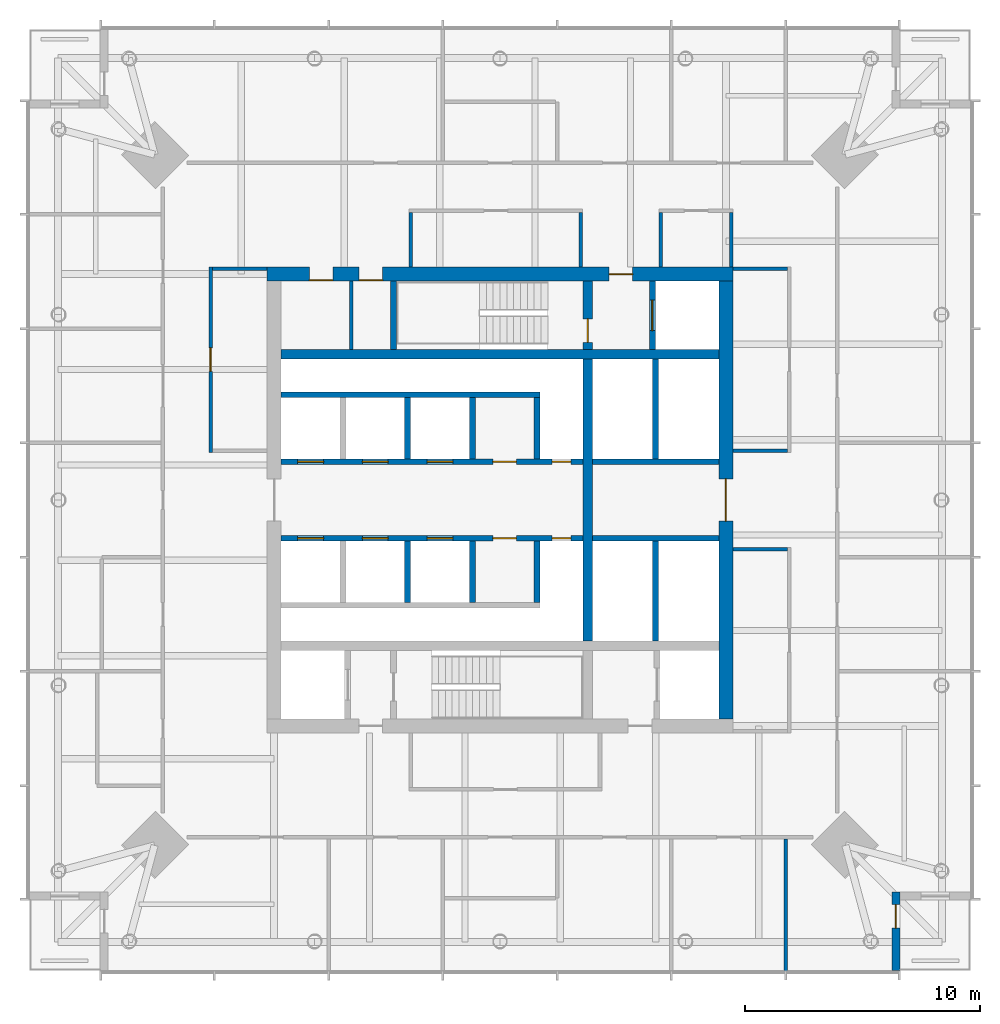
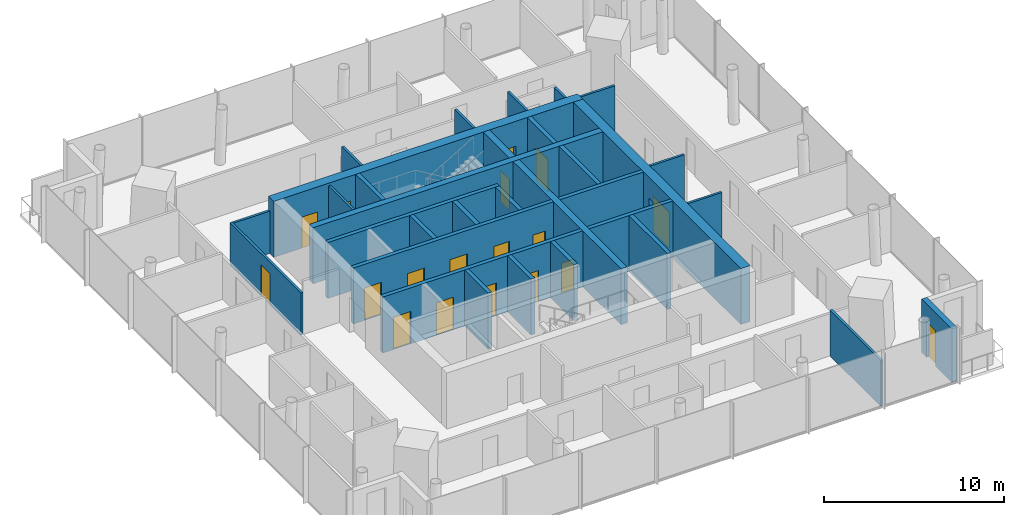
# One storey, part 5 of 7: 32 walls, 18 doors, 18 openings.
"""IFC4 building model written with IfcOpenShell, lengths in metres."""

from ifc_helpers import new_model, si_unit, direction, frame, frame_2d, origin, place, context, subcontext, project, spatial, rectangle, extrude, material, layer, layer_set, type_object, element, fill, save


model = new_model("IFC4")

# Units and contexts
model_context = context("Model", 3, precision=1e-05, world=origin(), true_north=direction((0.0, 1.0)))
body_context = subcontext(model_context, "Body", "Model", "MODEL_VIEW")
ifc_project = project(units=[si_unit("LENGTHUNIT", "METRE"), si_unit("AREAUNIT", "SQUARE_METRE"), si_unit("VOLUMEUNIT", "CUBIC_METRE"), si_unit("PLANEANGLEUNIT", "RADIAN"), si_unit("MASSUNIT", "GRAM", prefix="KILO")], contexts=[model_context])

# Site, building, storey
site_placement = place(None, origin())
site = spatial("IfcSite", under=ifc_project, at=site_placement, CompositionType="ELEMENT")
building_placement = place(site_placement, origin())
building = spatial("IfcBuilding", under=site, at=building_placement, Name="Ostroluk Exchange", CompositionType="ELEMENT")
storey_placement = place(building_placement, frame((0.0, 0.0, 184.39990234375)))
storey = spatial("IfcBuildingStorey", under=building, at=storey_placement, Name="L47", CompositionType="ELEMENT", Elevation=184.39990234375)

# Walls
ifc_material_1 = material(Name="Concrete blockwork", Category="masonry")
ifc_layer_1 = layer(ifc_material_1, 0.14990234375)
ifc_layer_set_1 = layer_set([ifc_layer_1], Name="Blockwork plant room wall 150")
wall_type_1 = type_object("IfcWallType", Name="Blockwork plant room wall 150", PredefinedType="SOLIDWALL", material=ifc_layer_set_1)
wall_1_placement = place(storey_placement, frame((38.676025390625, 52.39990234375, 0.0), z_axis=(0.0, 0.0, 1.0), x_axis=(0.0, 1.0, 0.0)))
element("IfcWall", 1, at=wall_1_placement, inside=storey, type_object=wall_type_1, Name="Core room wall", PredefinedType="SOLIDWALL", context=body_context, shape_type="SweptSolid", body=[
    extrude(rectangle(XDim=2.900146484375, YDim=0.14990234375, at=frame_2d((1.4501953125, 0.0))), origin(), (0.0, 0.0, 1.0), 3.6201171875),
])
ifc_material_2 = material(Name="Concrete C50/60", Category="concrete")
ifc_layer_2 = layer(ifc_material_2, 0.39990234375)
ifc_layer_set_2 = layer_set([ifc_layer_2], Name="Core cross wall 400 C50/60")
wall_type_2 = type_object("IfcWallType", Name="Core cross wall 400 C50/60", PredefinedType="SHEAR", material=ifc_layer_set_2)
wall_2_placement = place(storey_placement, frame((35.699951171875, 52.199951171875, 0.0), z_axis=(0.0, 0.0, 1.0), x_axis=(1.0, 0.0, 0.0)))
element("IfcWall", 2, at=wall_2_placement, inside=storey, type_object=wall_type_2, Name="T1 core wall XN", PredefinedType="SHEAR", context=body_context, shape_type="SweptSolid", body=[
    extrude(rectangle(XDim=18.60009765625, YDim=0.39990234375, at=frame_2d((9.300048828125, 0.0))), origin(), (0.0, 0.0, 1.0), 3.800048828125),
])
wall_3_placement = place(storey_placement, frame((48.72998046875, 40.0, 0.0), z_axis=(0.0, 0.0, 1.0), x_axis=(0.0, 1.0, 0.0)))
element("IfcWall", 3, at=wall_3_placement, inside=storey, type_object=wall_type_2, Name="T1 core wall YE2", PredefinedType="SHEAR", context=body_context, shape_type="SweptSolid", body=[
    extrude(rectangle(XDim=12.0, YDim=0.39990234375, at=frame_2d((6.0, 0.0))), origin(), (0.0, 0.0, 1.0), 3.800048828125),
])

# Wall, opening, door
wall_4_placement = place(storey_placement, frame((48.72998046875, 52.39990234375, 0.0), z_axis=(0.0, 0.0, 1.0), x_axis=(0.0, 1.0, 0.0)))
wall_4 = element("IfcWall", 4, at=wall_4_placement, inside=storey, type_object=wall_type_2, Name="T1 core wall YE3", PredefinedType="SHEAR", context=body_context, shape_type="SweptSolid", body=[
    extrude(rectangle(XDim=2.900146484375, YDim=0.39990234375, at=frame_2d((1.4501953125, 0.0))), origin(), (0.0, 0.0, 1.0), 3.800048828125),
])
opening_1_placement = place(wall_4_placement, frame((0.300048828125, 0.0, 0.0)))
opening_1 = element("IfcOpeningElement", 5, at=opening_1_placement, cuts=wall_4, Name="Opening FD60", PredefinedType="OPENING", context=body_context, shape_type="SweptSolid", body=[
    extrude(rectangle(XDim=1.0, YDim=2.10009765625, at=frame_2d((0.5, 1.050048828125))), frame((0.0, 0.2099609375, 0.0), z_axis=(0.0, -1.0, 0.0), x_axis=(1.0, 0.0, 0.0)), (0.0, 0.0, 1.0), 0.419921875),
])
ifc_material_3 = material(Name="Steel", Category="steel")
door_type_1 = type_object("IfcDoorType", Name="Fire door EI 60 1000 x 2100", OperationType="SINGLE_SWING_LEFT", PredefinedType="DOOR", material=ifc_material_3)
door_1_placement = place(opening_1_placement, origin())
door_1 = element("IfcDoor", 6, at=door_1_placement, inside=storey, type_object=door_type_1, Name="Stair T1-S2 door", OperationType="SINGLE_SWING_LEFT", OverallHeight=2.10009765625, OverallWidth=1.0, PredefinedType="DOOR", context=body_context, shape_type="SweptSolid", body=[
    extrude(rectangle(XDim=1.0, YDim=2.10009765625, at=frame_2d((0.5, 1.050048828125))), frame((0.0, 0.02490234375, 0.0), z_axis=(0.0, -1.0, 0.0), x_axis=(1.0, 0.0, 0.0)), (0.0, 0.0, 1.0), 0.050048828125),
])
fill(opening_1, door_1)

# Wall
ifc_material_4 = material(Name="Concrete C40/50", Category="concrete")
ifc_layer_3 = layer(ifc_material_4, 0.25)
ifc_layer_set_3 = layer_set([ifc_layer_3], Name="Core shaft wall 250")
wall_type_3 = type_object("IfcWallType", Name="Core shaft wall 250", PredefinedType="SHEAR", material=ifc_layer_set_3)
wall_5_placement = place(storey_placement, frame((40.47509765625, 52.39990234375, 0.0), z_axis=(0.0, 0.0, 1.0), x_axis=(0.0, 1.0, 0.0)))
element("IfcWall", 7, at=wall_5_placement, inside=storey, type_object=wall_type_3, Name="Stair shaft wall", PredefinedType="SHEAR", context=body_context, shape_type="SweptSolid", body=[
    extrude(rectangle(XDim=2.900146484375, YDim=0.25, at=frame_2d((1.4501953125, 0.0))), origin(), (0.0, 0.0, 1.0), 3.800048828125),
])

# Wall, opening, door
wall_6_placement = place(storey_placement, frame((51.47509765625, 52.39990234375, 0.0), z_axis=(0.0, 0.0, 1.0), x_axis=(0.0, 1.0, 0.0)))
wall_6 = element("IfcWall", 8, at=wall_6_placement, inside=storey, type_object=wall_type_3, Name="Firefighting lift shaft wall", PredefinedType="SHEAR", context=body_context, shape_type="SweptSolid", body=[
    extrude(rectangle(XDim=2.900146484375, YDim=0.25, at=frame_2d((1.4501953125, 0.0))), origin(), (0.0, 0.0, 1.0), 3.800048828125),
])
opening_2_placement = place(wall_6_placement, frame((0.800048828125, 0.0, 0.0)))
opening_2 = element("IfcOpeningElement", 9, at=opening_2_placement, cuts=wall_6, Name="Opening LD2", PredefinedType="OPENING", context=body_context, shape_type="SweptSolid", body=[
    extrude(rectangle(XDim=1.300048828125, YDim=2.199951171875, at=frame_2d((0.64990234375, 1.10009765625))), frame((0.0, 0.135009765625, 0.0), z_axis=(0.0, -1.0, 0.0), x_axis=(1.0, 0.0, 0.0)), (0.0, 0.0, 1.0), 0.27001953125),
])
ifc_material_5 = material(Name="Stainless steel", Category="steel")
door_type_2 = type_object("IfcDoorType", Name="Lift landing door E 60 1300 x 2200", OperationType="DOUBLE_DOOR_SLIDING", PredefinedType="DOOR", material=ifc_material_5)
door_2_placement = place(opening_2_placement, origin())
door_2 = element("IfcDoor", 10, at=door_2_placement, inside=storey, type_object=door_type_2, Name="Lift FL2 landing door", OperationType="DOUBLE_DOOR_SLIDING", OverallHeight=2.199951171875, OverallWidth=1.300048828125, PredefinedType="DOOR", context=body_context, shape_type="SweptSolid", body=[
    extrude(rectangle(XDim=1.300048828125, YDim=2.199951171875, at=frame_2d((0.64990234375, 1.10009765625))), frame((0.0, 0.02490234375, 0.0), z_axis=(0.0, -1.0, 0.0), x_axis=(1.0, 0.0, 0.0)), (0.0, 0.0, 1.0), 0.050048828125),
])
fill(opening_2, door_2)

# Walls
for number, where, z_axis, x_axis, name in (
    (11, (41.074951171875, 47.75, 0.0), (0.0, 0.0, 1.0), (0.0, 1.0, 0.0), "Lift shaft wall"),
    (12, (43.824951171875, 47.75, 0.0), (0.0, 0.0, 1.0), (0.0, 1.0, 0.0), "Lift shaft wall"),
    (13, (46.574951171875, 47.75, 0.0), (0.0, 0.0, 1.0), (0.0, 1.0, 0.0), "Lift shaft wall"),
):
    element("IfcWall", number, at=place(storey_placement, frame(where, z_axis=z_axis, x_axis=x_axis)), inside=storey, type_object=wall_type_3, Name=name, PredefinedType="SHEAR", context=body_context, shape_type="SweptSolid", body=[
        extrude(rectangle(XDim=2.60009765625, YDim=0.25, at=frame_2d((1.300048828125, 0.0))), origin(), (0.0, 0.0, 1.0), 3.800048828125),
    ])
wall_7_placement = place(storey_placement, frame((35.699951171875, 50.47509765625, 0.0), z_axis=(0.0, 0.0, 1.0), x_axis=(1.0, 0.0, 0.0)))
element("IfcWall", 14, at=wall_7_placement, inside=storey, type_object=wall_type_3, Name="Lift shaft wall", PredefinedType="SHEAR", context=body_context, shape_type="SweptSolid", body=[
    extrude(rectangle(XDim=11.0, YDim=0.25, at=frame_2d((5.5, 0.0))), origin(), (0.0, 0.0, 1.0), 3.800048828125),
])

# Wall, openings, doors
wall_8_placement = place(storey_placement, frame((35.699951171875, 47.625, 0.0), z_axis=(0.0, 0.0, 1.0), x_axis=(1.0, 0.0, 0.0)))
wall_8 = element("IfcWall", 15, at=wall_8_placement, inside=storey, type_object=wall_type_3, Name="Lift shaft front wall", PredefinedType="SHEAR", context=body_context, shape_type="SweptSolid", body=[
    extrude(rectangle(XDim=12.830078125, YDim=0.25, at=frame_2d((6.4150390625, 0.0))), origin(), (0.0, 0.0, 1.0), 3.800048828125),
])
opening_3_placement = place(wall_8_placement, frame((0.699951171875, 0.0, 0.0)))
opening_3 = element("IfcOpeningElement", 16, at=opening_3_placement, cuts=wall_8, Name="Opening LD", PredefinedType="OPENING", context=body_context, shape_type="SweptSolid", body=[
    extrude(rectangle(XDim=1.10009765625, YDim=2.199951171875, at=frame_2d((0.550048828125, 1.10009765625))), frame((0.0, 0.135009765625, 0.0), z_axis=(0.0, -1.0, 0.0), x_axis=(1.0, 0.0, 0.0)), (0.0, 0.0, 1.0), 0.27001953125),
])
opening_4_placement = place(wall_8_placement, frame((3.449951171875, 0.0, 0.0)))
opening_4 = element("IfcOpeningElement", 17, at=opening_4_placement, cuts=wall_8, Name="Opening LD", PredefinedType="OPENING", context=body_context, shape_type="SweptSolid", body=[
    extrude(rectangle(XDim=1.10009765625, YDim=2.199951171875, at=frame_2d((0.550048828125, 1.10009765625))), frame((0.0, 0.135009765625, 0.0), z_axis=(0.0, -1.0, 0.0), x_axis=(1.0, 0.0, 0.0)), (0.0, 0.0, 1.0), 0.27001953125),
])
opening_5_placement = place(wall_8_placement, frame((6.199951171875, 0.0, 0.0)))
opening_5 = element("IfcOpeningElement", 18, at=opening_5_placement, cuts=wall_8, Name="Opening LD", PredefinedType="OPENING", context=body_context, shape_type="SweptSolid", body=[
    extrude(rectangle(XDim=1.10009765625, YDim=2.199951171875, at=frame_2d((0.550048828125, 1.10009765625))), frame((0.0, 0.135009765625, 0.0), z_axis=(0.0, -1.0, 0.0), x_axis=(1.0, 0.0, 0.0)), (0.0, 0.0, 1.0), 0.27001953125),
])
opening_6_placement = place(wall_8_placement, frame((9.0, 0.0, 0.0)))
opening_6 = element("IfcOpeningElement", 19, at=opening_6_placement, cuts=wall_8, Name="Opening FD60", PredefinedType="OPENING", context=body_context, shape_type="SweptSolid", body=[
    extrude(rectangle(XDim=1.0, YDim=2.10009765625, at=frame_2d((0.5, 1.050048828125))), frame((0.0, 0.135009765625, 0.0), z_axis=(0.0, -1.0, 0.0), x_axis=(1.0, 0.0, 0.0)), (0.0, 0.0, 1.0), 0.27001953125),
])
opening_7_placement = place(wall_8_placement, frame((11.514892578125, 0.0, 0.0)))
opening_7 = element("IfcOpeningElement", 20, at=opening_7_placement, cuts=wall_8, Name="Opening RD60", PredefinedType="OPENING", context=body_context, shape_type="SweptSolid", body=[
    extrude(rectangle(XDim=0.800048828125, YDim=2.0, at=frame_2d((0.39990234375, 1.0))), frame((0.0, 0.135009765625, 0.0), z_axis=(0.0, -1.0, 0.0), x_axis=(1.0, 0.0, 0.0)), (0.0, 0.0, 1.0), 0.27001953125),
])
door_3_placement = place(opening_6_placement, origin())
door_3 = element("IfcDoor", 21, at=door_3_placement, inside=storey, type_object=door_type_1, Name="Core room door", OperationType="SINGLE_SWING_RIGHT", OverallHeight=2.10009765625, OverallWidth=1.0, PredefinedType="DOOR", context=body_context, shape_type="SweptSolid", body=[
    extrude(rectangle(XDim=1.0, YDim=2.10009765625, at=frame_2d((0.5, 1.050048828125))), frame((0.0, 0.02490234375, 0.0), z_axis=(0.0, -1.0, 0.0), x_axis=(1.0, 0.0, 0.0)), (0.0, 0.0, 1.0), 0.050048828125),
])
fill(opening_6, door_3)
ifc_material_6 = material(Name="Stainless steel", Category="steel")
door_type_3 = type_object("IfcDoorType", Name="Lift landing door E 60 1100 x 2200", OperationType="DOUBLE_DOOR_SLIDING", PredefinedType="DOOR", material=ifc_material_6)
door_4_placement = place(opening_3_placement, origin())
door_4 = element("IfcDoor", 22, at=door_4_placement, inside=storey, type_object=door_type_3, Name="Lift PL-H1 landing door", OperationType="DOUBLE_DOOR_SLIDING", OverallHeight=2.199951171875, OverallWidth=1.10009765625, PredefinedType="DOOR", context=body_context, shape_type="SweptSolid", body=[
    extrude(rectangle(XDim=1.10009765625, YDim=2.199951171875, at=frame_2d((0.550048828125, 1.10009765625))), frame((0.0, 0.02490234375, 0.0), z_axis=(0.0, -1.0, 0.0), x_axis=(1.0, 0.0, 0.0)), (0.0, 0.0, 1.0), 0.050048828125),
])
fill(opening_3, door_4)
door_5_placement = place(opening_4_placement, origin())
door_5 = element("IfcDoor", 23, at=door_5_placement, inside=storey, type_object=door_type_3, Name="Lift PL-H2 landing door", OperationType="DOUBLE_DOOR_SLIDING", OverallHeight=2.199951171875, OverallWidth=1.10009765625, PredefinedType="DOOR", context=body_context, shape_type="SweptSolid", body=[
    extrude(rectangle(XDim=1.10009765625, YDim=2.199951171875, at=frame_2d((0.550048828125, 1.10009765625))), frame((0.0, 0.02490234375, 0.0), z_axis=(0.0, -1.0, 0.0), x_axis=(1.0, 0.0, 0.0)), (0.0, 0.0, 1.0), 0.050048828125),
])
fill(opening_4, door_5)
door_6_placement = place(opening_5_placement, origin())
door_6 = element("IfcDoor", 24, at=door_6_placement, inside=storey, type_object=door_type_3, Name="Lift PL-H3 landing door", OperationType="DOUBLE_DOOR_SLIDING", OverallHeight=2.199951171875, OverallWidth=1.10009765625, PredefinedType="DOOR", context=body_context, shape_type="SweptSolid", body=[
    extrude(rectangle(XDim=1.10009765625, YDim=2.199951171875, at=frame_2d((0.550048828125, 1.10009765625))), frame((0.0, 0.02490234375, 0.0), z_axis=(0.0, -1.0, 0.0), x_axis=(1.0, 0.0, 0.0)), (0.0, 0.0, 1.0), 0.050048828125),
])
fill(opening_5, door_6)
ifc_material_7 = material(Name="Steel", Category="steel")
door_type_4 = type_object("IfcDoorType", Name="Riser access door EI 60 800 x 2000", OperationType="SINGLE_SWING_LEFT", PredefinedType="DOOR", material=ifc_material_7)
door_7_placement = place(opening_7_placement, origin())
door_7 = element("IfcDoor", 25, at=door_7_placement, inside=storey, type_object=door_type_4, Name="Riser access door", OperationType="SINGLE_SWING_RIGHT", OverallHeight=2.0, OverallWidth=0.800048828125, PredefinedType="DOOR", context=body_context, shape_type="SweptSolid", body=[
    extrude(rectangle(XDim=0.800048828125, YDim=2.0, at=frame_2d((0.39990234375, 1.0))), frame((0.0, 0.02490234375, 0.0), z_axis=(0.0, -1.0, 0.0), x_axis=(1.0, 0.0, 0.0)), (0.0, 0.0, 1.0), 0.050048828125),
])
fill(opening_7, door_7)

# Walls
for number, where, z_axis, x_axis, name in (
    (26, (41.074951171875, 44.25, 0.0), (0.0, 0.0, 1.0), (0.0, -1.0, 0.0), "Lift shaft wall"),
    (27, (43.824951171875, 44.25, 0.0), (0.0, 0.0, 1.0), (0.0, -1.0, 0.0), "Lift shaft wall"),
    (28, (46.574951171875, 44.25, 0.0), (0.0, 0.0, 1.0), (0.0, -1.0, 0.0), "Lift shaft wall"),
):
    element("IfcWall", number, at=place(storey_placement, frame(where, z_axis=z_axis, x_axis=x_axis)), inside=storey, type_object=wall_type_3, Name=name, PredefinedType="SHEAR", context=body_context, shape_type="SweptSolid", body=[
        extrude(rectangle(XDim=2.60009765625, YDim=0.25, at=frame_2d((1.300048828125, 0.0))), origin(), (0.0, 0.0, 1.0), 3.800048828125),
    ])

# Wall, openings, doors
wall_9_placement = place(storey_placement, frame((35.699951171875, 44.375, 0.0), z_axis=(0.0, 0.0, 1.0), x_axis=(1.0, 0.0, 0.0)))
wall_9 = element("IfcWall", 29, at=wall_9_placement, inside=storey, type_object=wall_type_3, Name="Lift shaft front wall", PredefinedType="SHEAR", context=body_context, shape_type="SweptSolid", body=[
    extrude(rectangle(XDim=12.830078125, YDim=0.25, at=frame_2d((6.4150390625, 0.0))), origin(), (0.0, 0.0, 1.0), 3.800048828125),
])
opening_8_placement = place(wall_9_placement, frame((0.699951171875, 0.0, 0.0)))
opening_8 = element("IfcOpeningElement", 30, at=opening_8_placement, cuts=wall_9, Name="Opening LD", PredefinedType="OPENING", context=body_context, shape_type="SweptSolid", body=[
    extrude(rectangle(XDim=1.10009765625, YDim=2.199951171875, at=frame_2d((0.550048828125, 1.10009765625))), frame((0.0, 0.135009765625, 0.0), z_axis=(0.0, -1.0, 0.0), x_axis=(1.0, 0.0, 0.0)), (0.0, 0.0, 1.0), 0.27001953125),
])
opening_9_placement = place(wall_9_placement, frame((3.449951171875, 0.0, 0.0)))
opening_9 = element("IfcOpeningElement", 31, at=opening_9_placement, cuts=wall_9, Name="Opening LD", PredefinedType="OPENING", context=body_context, shape_type="SweptSolid", body=[
    extrude(rectangle(XDim=1.10009765625, YDim=2.199951171875, at=frame_2d((0.550048828125, 1.10009765625))), frame((0.0, 0.135009765625, 0.0), z_axis=(0.0, -1.0, 0.0), x_axis=(1.0, 0.0, 0.0)), (0.0, 0.0, 1.0), 0.27001953125),
])
opening_10_placement = place(wall_9_placement, frame((6.199951171875, 0.0, 0.0)))
opening_10 = element("IfcOpeningElement", 32, at=opening_10_placement, cuts=wall_9, Name="Opening LD", PredefinedType="OPENING", context=body_context, shape_type="SweptSolid", body=[
    extrude(rectangle(XDim=1.10009765625, YDim=2.199951171875, at=frame_2d((0.550048828125, 1.10009765625))), frame((0.0, 0.135009765625, 0.0), z_axis=(0.0, -1.0, 0.0), x_axis=(1.0, 0.0, 0.0)), (0.0, 0.0, 1.0), 0.27001953125),
])
opening_11_placement = place(wall_9_placement, frame((9.0, 0.0, 0.0)))
opening_11 = element("IfcOpeningElement", 33, at=opening_11_placement, cuts=wall_9, Name="Opening FD60", PredefinedType="OPENING", context=body_context, shape_type="SweptSolid", body=[
    extrude(rectangle(XDim=1.0, YDim=2.10009765625, at=frame_2d((0.5, 1.050048828125))), frame((0.0, 0.135009765625, 0.0), z_axis=(0.0, -1.0, 0.0), x_axis=(1.0, 0.0, 0.0)), (0.0, 0.0, 1.0), 0.27001953125),
])
opening_12_placement = place(wall_9_placement, frame((11.514892578125, 0.0, 0.0)))
opening_12 = element("IfcOpeningElement", 34, at=opening_12_placement, cuts=wall_9, Name="Opening RD60", PredefinedType="OPENING", context=body_context, shape_type="SweptSolid", body=[
    extrude(rectangle(XDim=0.800048828125, YDim=2.0, at=frame_2d((0.39990234375, 1.0))), frame((0.0, 0.135009765625, 0.0), z_axis=(0.0, -1.0, 0.0), x_axis=(1.0, 0.0, 0.0)), (0.0, 0.0, 1.0), 0.27001953125),
])
door_8_placement = place(opening_11_placement, origin())
door_8 = element("IfcDoor", 35, at=door_8_placement, inside=storey, type_object=door_type_1, Name="Core room door", OperationType="SINGLE_SWING_RIGHT", OverallHeight=2.10009765625, OverallWidth=1.0, PredefinedType="DOOR", context=body_context, shape_type="SweptSolid", body=[
    extrude(rectangle(XDim=1.0, YDim=2.10009765625, at=frame_2d((0.5, 1.050048828125))), frame((0.0, 0.02490234375, 0.0), z_axis=(0.0, -1.0, 0.0), x_axis=(1.0, 0.0, 0.0)), (0.0, 0.0, 1.0), 0.050048828125),
])
fill(opening_11, door_8)
door_9_placement = place(opening_8_placement, origin())
door_9 = element("IfcDoor", 36, at=door_9_placement, inside=storey, type_object=door_type_3, Name="Lift PL-H4 landing door", OperationType="DOUBLE_DOOR_SLIDING", OverallHeight=2.199951171875, OverallWidth=1.10009765625, PredefinedType="DOOR", context=body_context, shape_type="SweptSolid", body=[
    extrude(rectangle(XDim=1.10009765625, YDim=2.199951171875, at=frame_2d((0.550048828125, 1.10009765625))), frame((0.0, 0.02490234375, 0.0), z_axis=(0.0, -1.0, 0.0), x_axis=(1.0, 0.0, 0.0)), (0.0, 0.0, 1.0), 0.050048828125),
])
fill(opening_8, door_9)
door_10_placement = place(opening_9_placement, origin())
door_10 = element("IfcDoor", 37, at=door_10_placement, inside=storey, type_object=door_type_3, Name="Lift PL-H5 landing door", OperationType="DOUBLE_DOOR_SLIDING", OverallHeight=2.199951171875, OverallWidth=1.10009765625, PredefinedType="DOOR", context=body_context, shape_type="SweptSolid", body=[
    extrude(rectangle(XDim=1.10009765625, YDim=2.199951171875, at=frame_2d((0.550048828125, 1.10009765625))), frame((0.0, 0.02490234375, 0.0), z_axis=(0.0, -1.0, 0.0), x_axis=(1.0, 0.0, 0.0)), (0.0, 0.0, 1.0), 0.050048828125),
])
fill(opening_9, door_10)
door_11_placement = place(opening_10_placement, origin())
door_11 = element("IfcDoor", 38, at=door_11_placement, inside=storey, type_object=door_type_3, Name="Lift PL-H6 landing door", OperationType="DOUBLE_DOOR_SLIDING", OverallHeight=2.199951171875, OverallWidth=1.10009765625, PredefinedType="DOOR", context=body_context, shape_type="SweptSolid", body=[
    extrude(rectangle(XDim=1.10009765625, YDim=2.199951171875, at=frame_2d((0.550048828125, 1.10009765625))), frame((0.0, 0.02490234375, 0.0), z_axis=(0.0, -1.0, 0.0), x_axis=(1.0, 0.0, 0.0)), (0.0, 0.0, 1.0), 0.050048828125),
])
fill(opening_10, door_11)
door_12_placement = place(opening_12_placement, origin())
door_12 = element("IfcDoor", 39, at=door_12_placement, inside=storey, type_object=door_type_4, Name="Riser access door", OperationType="SINGLE_SWING_RIGHT", OverallHeight=2.0, OverallWidth=0.800048828125, PredefinedType="DOOR", context=body_context, shape_type="SweptSolid", body=[
    extrude(rectangle(XDim=0.800048828125, YDim=2.0, at=frame_2d((0.39990234375, 1.0))), frame((0.0, 0.02490234375, 0.0), z_axis=(0.0, -1.0, 0.0), x_axis=(1.0, 0.0, 0.0)), (0.0, 0.0, 1.0), 0.050048828125),
])
fill(opening_12, door_12)

# Walls
wall_10_placement = place(storey_placement, frame((51.614990234375, 47.75, 0.0), z_axis=(0.0, 0.0, 1.0), x_axis=(0.0, 1.0, 0.0)))
element("IfcWall", 40, at=wall_10_placement, inside=storey, type_object=wall_type_3, Name="Lift shaft wall", PredefinedType="SHEAR", context=body_context, shape_type="SweptSolid", body=[
    extrude(rectangle(XDim=4.25, YDim=0.25, at=frame_2d((2.125, 0.0))), origin(), (0.0, 0.0, 1.0), 3.800048828125),
])
wall_11_placement = place(storey_placement, frame((48.929931640625, 47.625, 0.0), z_axis=(0.0, 0.0, 1.0), x_axis=(1.0, 0.0, 0.0)))
element("IfcWall", 41, at=wall_11_placement, inside=storey, type_object=wall_type_3, Name="Lift shaft front wall", PredefinedType="SHEAR", context=body_context, shape_type="SweptSolid", body=[
    extrude(rectangle(XDim=5.3701171875, YDim=0.25, at=frame_2d((2.68505859375, 0.0))), origin(), (0.0, 0.0, 1.0), 3.800048828125),
])
wall_12_placement = place(storey_placement, frame((51.614990234375, 44.25, 0.0), z_axis=(0.0, 0.0, 1.0), x_axis=(0.0, -1.0, 0.0)))
element("IfcWall", 42, at=wall_12_placement, inside=storey, type_object=wall_type_3, Name="Lift shaft wall", PredefinedType="SHEAR", context=body_context, shape_type="SweptSolid", body=[
    extrude(rectangle(XDim=4.25, YDim=0.25, at=frame_2d((2.125, 0.0))), origin(), (0.0, 0.0, 1.0), 3.800048828125),
])
wall_13_placement = place(storey_placement, frame((48.929931640625, 44.375, 0.0), z_axis=(0.0, 0.0, 1.0), x_axis=(1.0, 0.0, 0.0)))
element("IfcWall", 43, at=wall_13_placement, inside=storey, type_object=wall_type_3, Name="Lift shaft front wall", PredefinedType="SHEAR", context=body_context, shape_type="SweptSolid", body=[
    extrude(rectangle(XDim=5.3701171875, YDim=0.25, at=frame_2d((2.68505859375, 0.0))), origin(), (0.0, 0.0, 1.0), 3.800048828125),
])

# Wall, openings, doors
ifc_material_8 = material(Name="Concrete C50/60", Category="concrete")
ifc_layer_4 = layer(ifc_material_8, 0.60009765625)
ifc_layer_set_4 = layer_set([ifc_layer_4], Name="Core wall 600 C50/60")
wall_type_4 = type_object("IfcWallType", Name="Core wall 600 C50/60", PredefinedType="SHEAR", material=ifc_layer_set_4)
wall_14_placement = place(storey_placement, frame((35.10009765625, 55.60009765625, 0.0), z_axis=(0.0, 0.0, 1.0), x_axis=(1.0, 0.0, 0.0)))
wall_14 = element("IfcWall", 44, at=wall_14_placement, inside=storey, type_object=wall_type_4, Name="T1 core wall N", PredefinedType="SHEAR", context=body_context, shape_type="SweptSolid", body=[
    extrude(rectangle(XDim=19.7998046875, YDim=0.60009765625, at=frame_2d((9.89990234375, 0.0))), origin(), (0.0, 0.0, 1.0), 3.800048828125),
])
opening_13_placement = place(wall_14_placement, frame((14.5400390625, 0.0, 0.0)))
opening_13 = element("IfcOpeningElement", 45, at=opening_13_placement, cuts=wall_14, Name="Opening FD60", PredefinedType="OPENING", context=body_context, shape_type="SweptSolid", body=[
    extrude(rectangle(XDim=1.0, YDim=2.10009765625, at=frame_2d((0.5, 1.050048828125))), frame((0.0, 0.31005859375, 0.0), z_axis=(0.0, -1.0, 0.0), x_axis=(1.0, 0.0, 0.0)), (0.0, 0.0, 1.0), 0.6201171875),
])
opening_14_placement = place(wall_14_placement, frame((1.800048828125, 0.0, 0.0)))
opening_14 = element("IfcOpeningElement", 46, at=opening_14_placement, cuts=wall_14, Name="Opening FD60", PredefinedType="OPENING", context=body_context, shape_type="SweptSolid", body=[
    extrude(rectangle(XDim=1.0, YDim=2.10009765625, at=frame_2d((0.5, 1.050048828125))), frame((0.0, 0.31005859375, 0.0), z_axis=(0.0, -1.0, 0.0), x_axis=(1.0, 0.0, 0.0)), (0.0, 0.0, 1.0), 0.6201171875),
])
opening_15_placement = place(wall_14_placement, frame((3.9130859375, 0.0, 0.0)))
opening_15 = element("IfcOpeningElement", 47, at=opening_15_placement, cuts=wall_14, Name="Opening FD60", PredefinedType="OPENING", context=body_context, shape_type="SweptSolid", body=[
    extrude(rectangle(XDim=1.0, YDim=2.10009765625, at=frame_2d((0.5, 1.050048828125))), frame((0.0, 0.31005859375, 0.0), z_axis=(0.0, -1.0, 0.0), x_axis=(1.0, 0.0, 0.0)), (0.0, 0.0, 1.0), 0.6201171875),
])
door_13_placement = place(opening_13_placement, origin())
door_13 = element("IfcDoor", 48, at=door_13_placement, inside=storey, type_object=door_type_1, Name="Firefighting lobby door", OperationType="SINGLE_SWING_RIGHT", OverallHeight=2.10009765625, OverallWidth=1.0, PredefinedType="DOOR", context=body_context, shape_type="SweptSolid", body=[
    extrude(rectangle(XDim=1.0, YDim=2.10009765625, at=frame_2d((0.5, 1.050048828125))), frame((0.0, 0.02490234375, 0.0), z_axis=(0.0, -1.0, 0.0), x_axis=(1.0, 0.0, 0.0)), (0.0, 0.0, 1.0), 0.050048828125),
])
fill(opening_13, door_13)
door_14_placement = place(opening_14_placement, origin())
door_14 = element("IfcDoor", 49, at=door_14_placement, inside=storey, type_object=door_type_1, Name="Tea point door", OperationType="SINGLE_SWING_LEFT", OverallHeight=2.10009765625, OverallWidth=1.0, PredefinedType="DOOR", context=body_context, shape_type="SweptSolid", body=[
    extrude(rectangle(XDim=1.0, YDim=2.10009765625, at=frame_2d((0.5, 1.050048828125))), frame((0.0, -0.23974609375, 0.0), z_axis=(0.0, -1.0, 0.0), x_axis=(1.0, 0.0, 0.0)), (0.0, 0.0, 1.0), 0.050048828125),
])
fill(opening_14, door_14)
door_15_placement = place(opening_15_placement, origin())
door_15 = element("IfcDoor", 50, at=door_15_placement, inside=storey, type_object=door_type_1, Name="Store door", OperationType="SINGLE_SWING_LEFT", OverallHeight=2.10009765625, OverallWidth=1.0, PredefinedType="DOOR", context=body_context, shape_type="SweptSolid", body=[
    extrude(rectangle(XDim=1.0, YDim=2.10009765625, at=frame_2d((0.5, 1.050048828125))), frame((0.0, -0.23974609375, 0.0), z_axis=(0.0, -1.0, 0.0), x_axis=(1.0, 0.0, 0.0)), (0.0, 0.0, 1.0), 0.050048828125),
])
fill(opening_15, door_15)

# Wall, opening, door
wall_15_placement = place(storey_placement, frame((54.60009765625, 36.699951171875, 0.0), z_axis=(0.0, 0.0, 1.0), x_axis=(0.0, 1.0, 0.0)))
wall_15 = element("IfcWall", 51, at=wall_15_placement, inside=storey, type_object=wall_type_4, Name="T1 core wall E", PredefinedType="SHEAR", context=body_context, shape_type="SweptSolid", body=[
    extrude(rectangle(XDim=18.60009765625, YDim=0.60009765625, at=frame_2d((9.300048828125, 0.0))), origin(), (0.0, 0.0, 1.0), 3.800048828125),
])
opening_16_placement = place(wall_15_placement, frame((8.39990234375, 0.0, 0.0)))
opening_16 = element("IfcOpeningElement", 52, at=opening_16_placement, cuts=wall_15, Name="Opening FD30D", PredefinedType="OPENING", context=body_context, shape_type="SweptSolid", body=[
    extrude(rectangle(XDim=1.800048828125, YDim=2.39990234375, at=frame_2d((0.89990234375, 1.199951171875))), frame((0.0, 0.31005859375, 0.0), z_axis=(0.0, -1.0, 0.0), x_axis=(1.0, 0.0, 0.0)), (0.0, 0.0, 1.0), 0.6201171875),
])
ifc_material_9 = material(Name="Timber", Category="wood")
door_type_5 = type_object("IfcDoorType", Name="Lobby double door EI 30 1800 x 2400", OperationType="DOUBLE_DOOR_SINGLE_SWING", PredefinedType="DOOR", material=ifc_material_9)
door_16_placement = place(opening_16_placement, origin())
door_16 = element("IfcDoor", 53, at=door_16_placement, inside=storey, type_object=door_type_5, Name="Lift lobby doors", OperationType="DOUBLE_DOOR_SINGLE_SWING", OverallHeight=2.39990234375, OverallWidth=1.800048828125, PredefinedType="DOOR", context=body_context, shape_type="SweptSolid", body=[
    extrude(rectangle(XDim=1.800048828125, YDim=2.39990234375, at=frame_2d((0.89990234375, 1.199951171875))), frame((0.0, 0.02490234375, 0.0), z_axis=(0.0, -1.0, 0.0), x_axis=(1.0, 0.0, 0.0)), (0.0, 0.0, 1.0), 0.050048828125),
])
fill(opening_16, door_16)

ifc_material_10 = material(Name="Limestone", Category="masonry")
ifc_layer_5 = layer(ifc_material_10, 0.35009765625)
ifc_layer_set_5 = layer_set([ifc_layer_5], Name="Limestone facade wall 350")
wall_type_5 = type_object("IfcWallType", Name="Limestone facade wall 350", PredefinedType="SOLIDWALL", material=ifc_layer_set_5)
wall_16_placement = place(storey_placement, frame((61.824951171875, 26.0, 0.0), z_axis=(0.0, 0.0, 1.0), x_axis=(0.0, 1.0, 0.0)))
wall_16 = element("IfcWall", 54, at=wall_16_placement, inside=storey, type_object=wall_type_5, Name="Office tower SE corner wall L47 a", PredefinedType="SOLIDWALL", context=body_context, shape_type="SweptSolid", body=[
    extrude(rectangle(XDim=3.35009765625, YDim=0.35009765625, at=frame_2d((1.675048828125, 0.0))), origin(), (0.0, 0.0, 1.0), 3.6201171875),
])
opening_17_placement = place(wall_16_placement, frame((1.800048828125, 0.0, 0.0)))
opening_17 = element("IfcOpeningElement", 55, at=opening_17_placement, cuts=wall_16, Name="Opening D-B1", PredefinedType="OPENING", context=body_context, shape_type="SweptSolid", body=[
    extrude(rectangle(XDim=1.0, YDim=2.39990234375, at=frame_2d((0.5, 1.199951171875))), frame((0.0, 0.18505859375, 0.0), z_axis=(0.0, -1.0, 0.0), x_axis=(1.0, 0.0, 0.0)), (0.0, 0.0, 1.0), 0.3701171875),
])
ifc_material_11 = material(Name="Bronze framed glazed door", Category="aluminium")
door_type_6 = type_object("IfcDoorType", Name="Balcony door 1000 x 2400", OperationType="SINGLE_SWING_LEFT", PredefinedType="DOOR", material=ifc_material_11)
door_17_placement = place(opening_17_placement, origin())
door_17 = element("IfcDoor", 56, at=door_17_placement, inside=storey, type_object=door_type_6, Name="Office tower SE balcony door L47", OperationType="SINGLE_SWING_RIGHT", OverallHeight=2.39990234375, OverallWidth=1.0, PredefinedType="DOOR", context=body_context, shape_type="SweptSolid", body=[
    extrude(rectangle(XDim=1.0, YDim=2.39990234375, at=frame_2d((0.5, 1.199951171875))), frame((0.0, 0.02490234375, 0.0), z_axis=(0.0, -1.0, 0.0), x_axis=(1.0, 0.0, 0.0)), (0.0, 0.0, 1.0), 0.050048828125),
])
fill(opening_17, door_17)

# Walls
ifc_material_12 = material(Name="Gypsum plasterboard partition", Category="gypsum")
ifc_layer_6 = layer(ifc_material_12, 0.14990234375)
ifc_layer_set_6 = layer_set([ifc_layer_6], Name="Plasterboard partition 150")
wall_type_6 = type_object("IfcWallType", Name="Plasterboard partition 150", PredefinedType="PARTITIONING", material=ifc_layer_set_6)
for number, where, z_axis, x_axis, name in (
    (57, (54.89990234375, 43.89990234375, 0.0), (0.0, 0.0, 1.0), (1.0, 0.0, 0.0), "Partition"),
    (58, (54.89990234375, 48.10009765625, 0.0), (0.0, 0.0, 1.0), (1.0, 0.0, 0.0), "Partition"),
    (59, (54.89990234375, 55.824951171875, 0.0), (0.0, 0.0, 1.0), (1.0, 0.0, 0.0), "Partition"),
):
    element("IfcWall", number, at=place(storey_placement, frame(where, z_axis=z_axis, x_axis=x_axis)), inside=storey, type_object=wall_type_6, Name=name, PredefinedType="PARTITIONING", context=body_context, shape_type="SweptSolid", body=[
        extrude(rectangle(XDim=2.3251953125, YDim=0.14990234375, at=frame_2d((1.16259765625, 0.0))), origin(), (0.0, 0.0, 1.0), 3.6201171875),
    ])
wall_17_placement = place(storey_placement, frame((54.824951171875, 55.89990234375, 0.0), z_axis=(0.0, 0.0, 1.0), x_axis=(0.0, 1.0, 0.0)))
element("IfcWall", 60, at=wall_17_placement, inside=storey, type_object=wall_type_6, Name="Partition", PredefinedType="PARTITIONING", context=body_context, shape_type="SweptSolid", body=[
    extrude(rectangle(XDim=2.3251953125, YDim=0.14990234375, at=frame_2d((1.16259765625, 0.0))), origin(), (0.0, 0.0, 1.0), 2.8671875),
])
for number, where, z_axis, x_axis, name in (
    (61, (51.840087890625, 55.89990234375, 0.0), (0.0, 0.0, 1.0), (0.0, 1.0, 0.0), "Partition"),
    (62, (48.43994140625, 55.89990234375, 0.0), (0.0, 0.0, 1.0), (0.0, 1.0, 0.0), "Partition"),
    (63, (41.212890625, 55.89990234375, 0.0), (0.0, 0.0, 1.0), (0.0, 1.0, 0.0), "Partition"),
):
    element("IfcWall", number, at=place(storey_placement, frame(where, z_axis=z_axis, x_axis=x_axis)), inside=storey, type_object=wall_type_6, Name=name, PredefinedType="PARTITIONING", context=body_context, shape_type="SweptSolid", body=[
        extrude(rectangle(XDim=2.3251953125, YDim=0.14990234375, at=frame_2d((1.16259765625, 0.0))), origin(), (0.0, 0.0, 1.0), 3.6201171875),
    ])

# Wall, opening, door
wall_18_placement = place(storey_placement, frame((32.699951171875, 55.89990234375, 0.0), z_axis=(0.0, 0.0, 1.0), x_axis=(0.0, -1.0, 0.0)))
wall_18 = element("IfcWall", 64, at=wall_18_placement, inside=storey, type_object=wall_type_6, Name="Partition", PredefinedType="PARTITIONING", context=body_context, shape_type="SweptSolid", body=[
    extrude(rectangle(XDim=7.875, YDim=0.14990234375, at=frame_2d((3.9375, 0.0))), origin(), (0.0, 0.0, 1.0), 2.8671875),
])
opening_18_placement = place(wall_18_placement, frame((3.4375, 0.0, 0.0)))
opening_18 = element("IfcOpeningElement", 65, at=opening_18_placement, cuts=wall_18, Name="Opening D-03", PredefinedType="OPENING", context=body_context, shape_type="SweptSolid", body=[
    extrude(rectangle(XDim=1.0, YDim=2.10009765625, at=frame_2d((0.5, 1.050048828125))), frame((0.0, 0.0849609375, 0.0), z_axis=(0.0, -1.0, 0.0), x_axis=(1.0, 0.0, 0.0)), (0.0, 0.0, 1.0), 0.169921875),
])
ifc_material_13 = material(Name="Timber", Category="wood")
door_type_7 = type_object("IfcDoorType", Name="Internal door 1000 x 2100", OperationType="SINGLE_SWING_LEFT", PredefinedType="DOOR", material=ifc_material_13)
door_18_placement = place(opening_18_placement, origin())
door_18 = element("IfcDoor", 66, at=door_18_placement, inside=storey, type_object=door_type_7, Name="Tea point door", OperationType="SINGLE_SWING_LEFT", OverallHeight=2.10009765625, OverallWidth=1.0, PredefinedType="DOOR", context=body_context, shape_type="SweptSolid", body=[
    extrude(rectangle(XDim=1.0, YDim=2.10009765625, at=frame_2d((0.5, 1.050048828125))), frame((0.0, 0.02490234375, 0.0), z_axis=(0.0, -1.0, 0.0), x_axis=(1.0, 0.0, 0.0)), (0.0, 0.0, 1.0), 0.050048828125),
])
fill(opening_18, door_18)

# Walls
wall_19_placement = place(storey_placement, frame((35.10009765625, 55.824951171875, 0.0), z_axis=(0.0, 0.0, 1.0), x_axis=(-1.0, 0.0, 0.0)))
element("IfcWall", 67, at=wall_19_placement, inside=storey, type_object=wall_type_6, Name="Partition", PredefinedType="PARTITIONING", context=body_context, shape_type="SweptSolid", body=[
    extrude(rectangle(XDim=2.3251953125, YDim=0.14990234375, at=frame_2d((1.16259765625, 0.0))), origin(), (0.0, 0.0, 1.0), 2.8671875),
])
wall_20_placement = place(storey_placement, frame((57.142822265625, 31.60009765625, 0.0), z_axis=(0.0, 0.0, 1.0), x_axis=(0.0, -1.0, 0.0)))
element("IfcWall", 68, at=wall_20_placement, inside=storey, type_object=wall_type_6, Name="Partition", PredefinedType="PARTITIONING", context=body_context, shape_type="SweptSolid", body=[
    extrude(rectangle(XDim=5.64013671875, YDim=0.14990234375, at=frame_2d((2.820068359375, 0.0))), origin(), (0.0, 0.0, 1.0), 3.1201171875),
])

save(model, "model.ifc")
